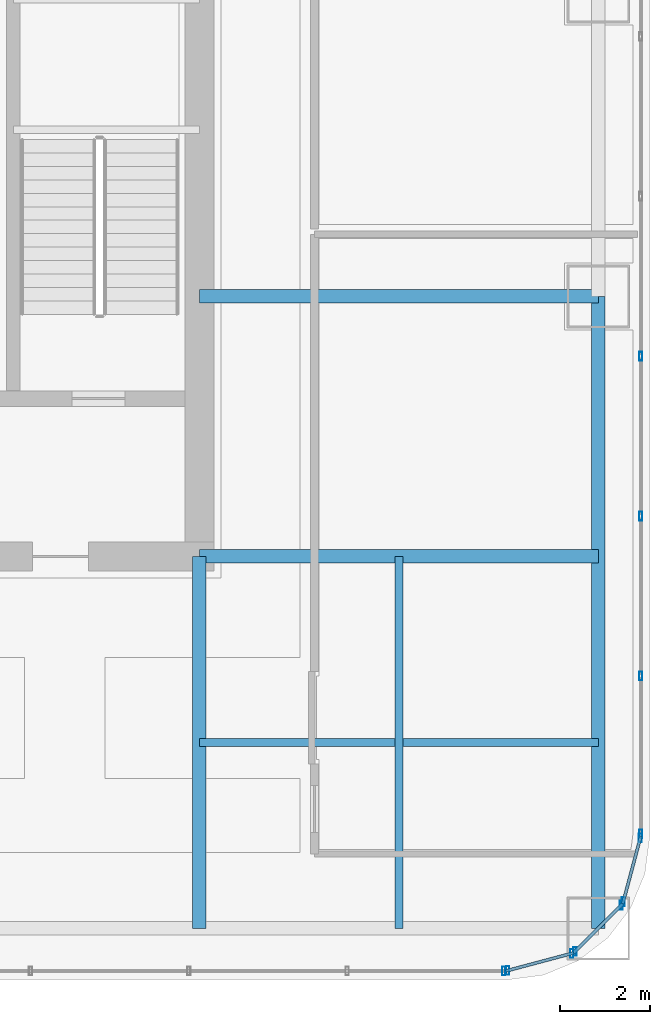
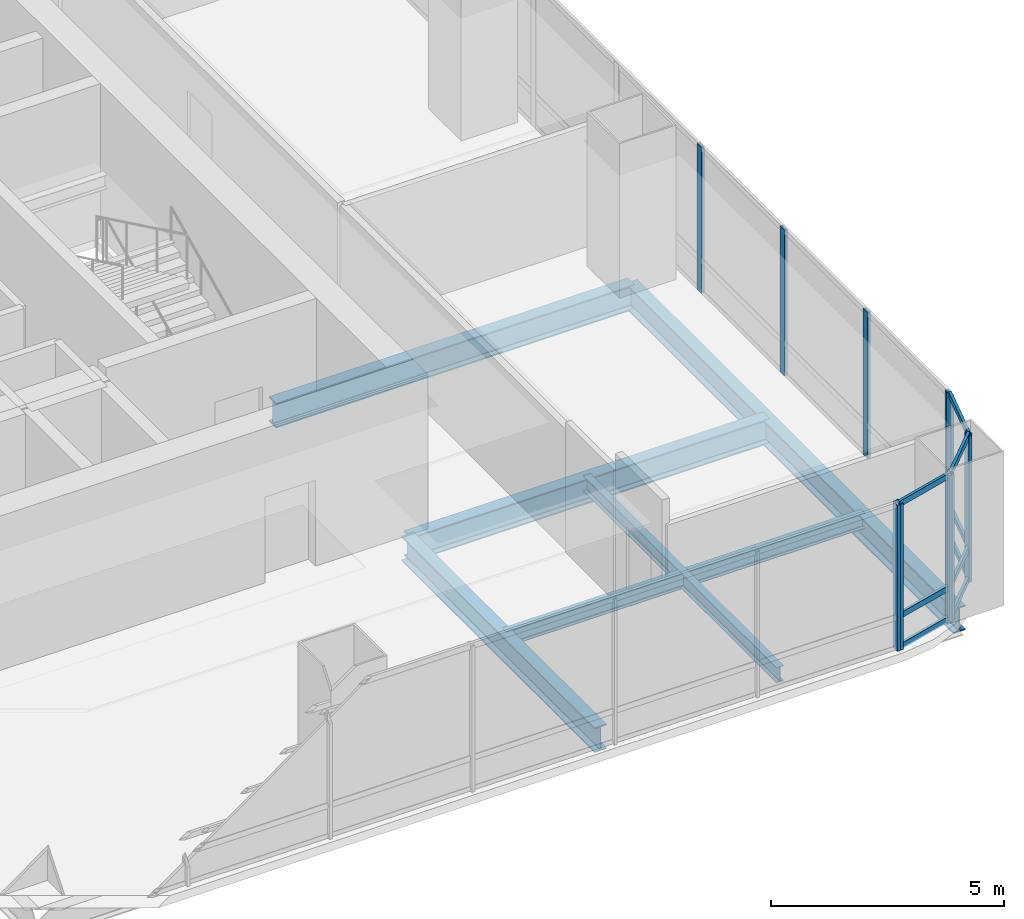
# One storey, part 15 of 38: 20 members, 6 beams, 5 elements without a shape of their own.
"""IFC4 building model written with IfcOpenShell, lengths in metres."""

from ifc_helpers import new_model, si_unit, direction, frame, origin, origin_2d, place, context, subcontext, project, spatial, hollow_rectangle, i_section, extrude, material, material_profile, profile_set, type_object, element, aggregate, save


model = new_model("IFC4")

# Units and contexts
model_context = context("Model", 3, precision=1e-05, world=origin(), true_north=direction((0.0, 1.0)))
body_context = subcontext(model_context, "Body", "Model", "MODEL_VIEW")
ifc_project = project(units=[si_unit("LENGTHUNIT", "METRE"), si_unit("AREAUNIT", "SQUARE_METRE"), si_unit("VOLUMEUNIT", "CUBIC_METRE"), si_unit("PLANEANGLEUNIT", "RADIAN"), si_unit("MASSUNIT", "GRAM", prefix="KILO")], contexts=[model_context])

# Site, building, storey
site_placement = place(None, origin())
site = spatial("IfcSite", under=ifc_project, at=site_placement, CompositionType="ELEMENT")
building_placement = place(site_placement, origin())
building = spatial("IfcBuilding", under=site, at=building_placement, Name="Punatoya Terracotta Tower", CompositionType="ELEMENT")
storey_placement = place(building_placement, frame((0.0, 0.0, 147.89990234375)))
storey = spatial("IfcBuildingStorey", under=building, at=storey_placement, Name="L34", CompositionType="ELEMENT", Elevation=147.89990234375)

# Beams
ifc_material_1 = material(Name="Steel S355", Category="steel")
ifc_material_profile_1 = material_profile(ifc_material_1, i_section(OverallWidth=0.300048828125, OverallDepth=0.64990234375, WebThickness=0.01611328125, FlangeThickness=0.031005859375, FilletRadius=0.01806640625, at=origin_2d()))
ifc_profile_set_1 = profile_set([ifc_material_profile_1], Name="Steel S355")
beam_type_1 = type_object("IfcBeamType", Name="BM-PRI-650", PredefinedType="BEAM", material=ifc_profile_set_1)
beam_1_placement = place(storey_placement, frame((19.10009765625, -17.5, -0.544921875), z_axis=(0.0, 1.0, 0.0), x_axis=(-1.0, 0.0, 0.0)))
element("IfcBeam", 1, at=beam_1_placement, inside=storey, type_object=beam_type_1, Name="BM-L34-RG-E1", PredefinedType="BEAM", context=body_context, shape_type="SweptSolid", body=[
    extrude(i_section(OverallWidth=0.300048828125, OverallDepth=0.64990234375, WebThickness=0.01611328125, FlangeThickness=0.031005859375, FilletRadius=0.01806640625, at=origin_2d()), origin(), (0.0, 0.0, 1.0), 14.10009765625),
])
for number, where, z_axis, x_axis, name in (
    (2, (10.199951171875, -9.199951171875, -0.544921875), (1.0, 0.0, 0.0), (0.0, 1.0, 0.0), "BM-L34-PR-ES"),
    (3, (10.199951171875, -3.39990234375, -0.544921875), (1.0, 0.0, 0.0), (0.0, 1.0, 0.0), "BM-L34-PR-ED"),
):
    element("IfcBeam", number, at=place(storey_placement, frame(where, z_axis=z_axis, x_axis=x_axis)), inside=storey, type_object=beam_type_1, Name=name, PredefinedType="BEAM", context=body_context, shape_type="SweptSolid", body=[
        extrude(i_section(OverallWidth=0.300048828125, OverallDepth=0.64990234375, WebThickness=0.01611328125, FlangeThickness=0.031005859375, FilletRadius=0.01806640625, at=origin_2d()), origin(), (0.0, 0.0, 1.0), 8.900146484375),
    ])
beam_2_placement = place(storey_placement, frame((10.199951171875, -17.5, -0.544921875), z_axis=(0.0, 1.0, 0.0), x_axis=(-1.0, 0.0, 0.0)))
element("IfcBeam", 4, at=beam_2_placement, inside=storey, type_object=beam_type_1, Name="BM-L34-PR-S4", PredefinedType="BEAM", context=body_context, shape_type="SweptSolid", body=[
    extrude(i_section(OverallWidth=0.300048828125, OverallDepth=0.64990234375, WebThickness=0.01611328125, FlangeThickness=0.031005859375, FilletRadius=0.01806640625, at=origin_2d()), origin(), (0.0, 0.0, 1.0), 8.300048828125),
])
ifc_material_profile_2 = material_profile(ifc_material_1, i_section(OverallWidth=0.179931640625, OverallDepth=0.39990234375, WebThickness=0.008544921875, FlangeThickness=0.013427734375, FilletRadius=0.01806640625, at=origin_2d()))
ifc_profile_set_2 = profile_set([ifc_material_profile_2], Name="Steel S355")
beam_type_2 = type_object("IfcBeamType", Name="BM-SEC-400", PredefinedType="JOIST", material=ifc_profile_set_2)
beam_3_placement = place(storey_placement, frame((10.199951171875, -13.35009765625, -0.419921875), z_axis=(1.0, 0.0, 0.0), x_axis=(0.0, 1.0, 0.0)))
element("IfcBeam", 5, at=beam_3_placement, inside=storey, type_object=beam_type_2, Name="BM-L34-SJS-2", PredefinedType="JOIST", context=body_context, shape_type="SweptSolid", body=[
    extrude(i_section(OverallWidth=0.179931640625, OverallDepth=0.39990234375, WebThickness=0.008544921875, FlangeThickness=0.013427734375, FilletRadius=0.01806640625, at=origin_2d()), origin(), (0.0, 0.0, 1.0), 8.900146484375),
])
beam_4_placement = place(storey_placement, frame((14.64990234375, -17.5, -0.419921875), z_axis=(0.0, 1.0, 0.0), x_axis=(-1.0, 0.0, 0.0)))
element("IfcBeam", 6, at=beam_4_placement, inside=storey, type_object=beam_type_2, Name="BM-L34-SJE-1", PredefinedType="JOIST", context=body_context, shape_type="SweptSolid", body=[
    extrude(i_section(OverallWidth=0.179931640625, OverallDepth=0.39990234375, WebThickness=0.008544921875, FlangeThickness=0.013427734375, FilletRadius=0.01806640625, at=origin_2d()), origin(), (0.0, 0.0, 1.0), 8.300048828125),
])

# Curtain wall, member
ifc_material_2 = material(Name="Aluminium 6063-T6 + Double Low-E Glass", Category="aluminium")
curtain_wall_type = type_object("IfcCurtainWallType", Name="CW-M2", PredefinedType="NOTDEFINED", material=ifc_material_2)
curtain_wall_1_placement = place(storey_placement, origin())
curtain_wall_1 = element("IfcCurtainWall", 7, at=curtain_wall_1_placement, inside=storey, type_object=curtain_wall_type, Name="L34 Curtain Wall CW-L34-S01-1", PredefinedType="NOTDEFINED")
ifc_material_3 = material(Name="Aluminium 6063-T6", Category="aluminium")
ifc_material_profile_3 = material_profile(ifc_material_3, hollow_rectangle(XDim=0.072021484375, YDim=0.195068359375, WallThickness=0.00439453125, at=origin_2d()))
ifc_profile_set_3 = profile_set([ifc_material_profile_3], Name="Aluminium 6063-T6")
member_type_1 = type_object("IfcMemberType", Name="CW-MUL-M2", PredefinedType="MULLION", material=ifc_profile_set_3)
member_1_placement = place(storey_placement, frame((16.991943359375, -18.449951171875, 0.0), z_axis=(0.0, 0.0, 1.0), x_axis=(1.0, 0.0, 0.0)))
member_1 = element("IfcMember", 8, at=member_1_placement, type_object=member_type_1, Name="CW-L34-S01-1 Mullion 11", PredefinedType="MULLION", context=body_context, shape_type="SweptSolid", body=[
    extrude(hollow_rectangle(XDim=0.072021484375, YDim=0.195068359375, WallThickness=0.00439453125, at=origin_2d()), origin(), (0.0, 0.0, 1.0), 3.830078125),
])
aggregate(curtain_wall_1, [member_1])

# Curtain wall, members
curtain_wall_2_placement = place(storey_placement, origin())
curtain_wall_2 = element("IfcCurtainWall", 9, at=curtain_wall_2_placement, inside=storey, type_object=curtain_wall_type, Name="L34 Curtain Wall CW-L34-CRN02", PredefinedType="NOTDEFINED")
member_2_placement = place(storey_placement, frame((17.080322265625, -18.4384765625, 0.0), z_axis=(0.0, 0.0, 1.0), x_axis=(1.0, 0.0, 0.0)))
member_2 = element("IfcMember", 10, at=member_2_placement, type_object=member_type_1, Name="CW-L34-CRN02 Mullion 00", PredefinedType="MULLION", context=body_context, shape_type="SweptSolid", body=[
    extrude(hollow_rectangle(XDim=0.072021484375, YDim=0.195068359375, WallThickness=0.00439453125, at=origin_2d()), origin(), (0.0, 0.0, 1.0), 3.830078125),
])
member_3_placement = place(storey_placement, frame((18.505615234375, -18.05810546875, 0.0), z_axis=(0.0, 0.0, 1.0), x_axis=(1.0, 0.0, 0.0)))
member_3 = element("IfcMember", 11, at=member_3_placement, type_object=member_type_1, Name="CW-L34-CRN02 Mullion 01", PredefinedType="MULLION", context=body_context, shape_type="SweptSolid", body=[
    extrude(hollow_rectangle(XDim=0.072021484375, YDim=0.195068359375, WallThickness=0.00439453125, at=origin_2d()), origin(), (0.0, 0.0, 1.0), 3.830078125),
])

curtain_wall_3_placement = place(storey_placement, origin())
curtain_wall_3 = element("IfcCurtainWall", 12, at=curtain_wall_3_placement, inside=storey, type_object=curtain_wall_type, Name="L34 Curtain Wall CW-L34-CRN03", PredefinedType="NOTDEFINED")
member_4_placement = place(storey_placement, frame((18.580810546875, -18.014892578125, 0.0), z_axis=(0.0, 0.0, 1.0), x_axis=(1.0, 0.0, 0.0)))
member_4 = element("IfcMember", 13, at=member_4_placement, type_object=member_type_1, Name="CW-L34-CRN03 Mullion 00", PredefinedType="MULLION", context=body_context, shape_type="SweptSolid", body=[
    extrude(hollow_rectangle(XDim=0.072021484375, YDim=0.195068359375, WallThickness=0.00439453125, at=origin_2d()), origin(), (0.0, 0.0, 1.0), 3.830078125),
])
member_5_placement = place(storey_placement, frame((19.61474609375, -16.98095703125, 0.0), z_axis=(0.0, 0.0, 1.0), x_axis=(1.0, 0.0, 0.0)))
member_5 = element("IfcMember", 14, at=member_5_placement, type_object=member_type_1, Name="CW-L34-CRN03 Mullion 01", PredefinedType="MULLION", context=body_context, shape_type="SweptSolid", body=[
    extrude(hollow_rectangle(XDim=0.072021484375, YDim=0.195068359375, WallThickness=0.00439453125, at=origin_2d()), origin(), (0.0, 0.0, 1.0), 3.830078125),
])

curtain_wall_4_placement = place(storey_placement, origin())
curtain_wall_4 = element("IfcCurtainWall", 15, at=curtain_wall_4_placement, inside=storey, type_object=curtain_wall_type, Name="L34 Curtain Wall CW-L34-CRN04", PredefinedType="NOTDEFINED")
member_6_placement = place(storey_placement, frame((19.658203125, -16.905517578125, 0.0), z_axis=(0.0, 0.0, 1.0), x_axis=(1.0, 0.0, 0.0)))
member_6 = element("IfcMember", 16, at=member_6_placement, type_object=member_type_1, Name="CW-L34-CRN04 Mullion 00", PredefinedType="MULLION", context=body_context, shape_type="SweptSolid", body=[
    extrude(hollow_rectangle(XDim=0.072021484375, YDim=0.195068359375, WallThickness=0.00439453125, at=origin_2d()), origin(), (0.0, 0.0, 1.0), 3.830078125),
])
member_7_placement = place(storey_placement, frame((20.038330078125, -15.48046875, 0.0), z_axis=(0.0, 0.0, 1.0), x_axis=(1.0, 0.0, 0.0)))
member_7 = element("IfcMember", 17, at=member_7_placement, type_object=member_type_1, Name="CW-L34-CRN04 Mullion 01", PredefinedType="MULLION", context=body_context, shape_type="SweptSolid", body=[
    extrude(hollow_rectangle(XDim=0.072021484375, YDim=0.195068359375, WallThickness=0.00439453125, at=origin_2d()), origin(), (0.0, 0.0, 1.0), 3.830078125),
])

curtain_wall_5_placement = place(storey_placement, origin())
curtain_wall_5 = element("IfcCurtainWall", 18, at=curtain_wall_5_placement, inside=storey, type_object=curtain_wall_type, Name="L34 Curtain Wall CW-L34-E05-1", PredefinedType="NOTDEFINED")
member_8_placement = place(storey_placement, frame((20.050048828125, -15.391845703125, 0.0), z_axis=(0.0, 0.0, 1.0), x_axis=(1.0, 0.0, 0.0)))
member_8 = element("IfcMember", 19, at=member_8_placement, type_object=member_type_1, Name="CW-L34-E05-1 Mullion 00", PredefinedType="MULLION", context=body_context, shape_type="SweptSolid", body=[
    extrude(hollow_rectangle(XDim=0.072021484375, YDim=0.195068359375, WallThickness=0.00439453125, at=origin_2d()), origin(), (0.0, 0.0, 1.0), 3.830078125),
])
member_9_placement = place(storey_placement, frame((20.050048828125, -11.869384765625, 0.0), z_axis=(0.0, 0.0, 1.0), x_axis=(1.0, 0.0, 0.0)))
member_9 = element("IfcMember", 20, at=member_9_placement, type_object=member_type_1, Name="CW-L34-E05-1 Mullion 01", PredefinedType="MULLION", context=body_context, shape_type="SweptSolid", body=[
    extrude(hollow_rectangle(XDim=0.072021484375, YDim=0.195068359375, WallThickness=0.00439453125, at=origin_2d()), origin(), (0.0, 0.0, 1.0), 3.830078125),
])
member_10_placement = place(storey_placement, frame((20.050048828125, -8.302001953125, 0.0), z_axis=(0.0, 0.0, 1.0), x_axis=(1.0, 0.0, 0.0)))
member_10 = element("IfcMember", 21, at=member_10_placement, type_object=member_type_1, Name="CW-L34-E05-1 Mullion 02", PredefinedType="MULLION", context=body_context, shape_type="SweptSolid", body=[
    extrude(hollow_rectangle(XDim=0.072021484375, YDim=0.195068359375, WallThickness=0.00439453125, at=origin_2d()), origin(), (0.0, 0.0, 1.0), 3.830078125),
])
member_11_placement = place(storey_placement, frame((20.050048828125, -4.73486328125, 0.0), z_axis=(0.0, 0.0, 1.0), x_axis=(1.0, 0.0, 0.0)))
member_11 = element("IfcMember", 22, at=member_11_placement, type_object=member_type_1, Name="CW-L34-E05-1 Mullion 03", PredefinedType="MULLION", context=body_context, shape_type="SweptSolid", body=[
    extrude(hollow_rectangle(XDim=0.072021484375, YDim=0.195068359375, WallThickness=0.00439453125, at=origin_2d()), origin(), (0.0, 0.0, 1.0), 3.830078125),
])
aggregate(curtain_wall_5, [member_8, member_9, member_10, member_11])

# Member
ifc_material_profile_4 = material_profile(ifc_material_3, hollow_rectangle(XDim=0.068115234375, YDim=0.14990234375, WallThickness=0.00390625, at=origin_2d()))
ifc_profile_set_4 = profile_set([ifc_material_profile_4], Name="Aluminium 6063-T6")
member_type_2 = type_object("IfcMemberType", Name="CW-TRN-TYP", PredefinedType="USERDEFINED", material=ifc_profile_set_4)
member_12_placement = place(storey_placement, frame((17.036865234375, -18.449951171875, 0.0400390625), z_axis=(0.966224582397, 0.257701486942, 0.0), x_axis=(-0.257701486942, 0.966224582397, 0.0)))
member_12 = element("IfcMember", 23, at=member_12_placement, type_object=member_type_2, Name="CW-L34-CRN02 Transom 1", ObjectType="TRANSOM", PredefinedType="USERDEFINED", context=body_context, shape_type="SweptSolid", body=[
    extrude(hollow_rectangle(XDim=0.068115234375, YDim=0.14990234375, WallThickness=0.00390625, at=origin_2d()), origin(), (0.0, 0.0, 1.0), 1.565185546875),
])

member_13_placement = place(storey_placement, frame((17.036865234375, -18.449951171875, 0.85009765625), z_axis=(0.966224582397, 0.257701486942, 0.0), x_axis=(-0.257701486942, 0.966224582397, 0.0)))
member_13 = element("IfcMember", 24, at=member_13_placement, type_object=member_type_2, Name="CW-L34-CRN02 Transom 2", ObjectType="TRANSOM", PredefinedType="USERDEFINED", context=body_context, shape_type="SweptSolid", body=[
    extrude(hollow_rectangle(XDim=0.068115234375, YDim=0.14990234375, WallThickness=0.00390625, at=origin_2d()), origin(), (0.0, 0.0, 1.0), 1.565185546875),
])

member_14_placement = place(storey_placement, frame((17.036865234375, -18.449951171875, 3.7900390625), z_axis=(0.966224582397, 0.257701486942, 0.0), x_axis=(-0.257701486942, 0.966224582397, 0.0)))
member_14 = element("IfcMember", 25, at=member_14_placement, type_object=member_type_2, Name="CW-L34-CRN02 Transom 3", ObjectType="TRANSOM", PredefinedType="USERDEFINED", context=body_context, shape_type="SweptSolid", body=[
    extrude(hollow_rectangle(XDim=0.068115234375, YDim=0.14990234375, WallThickness=0.00390625, at=origin_2d()), origin(), (0.0, 0.0, 1.0), 1.565185546875),
])

aggregate(curtain_wall_2, [member_2, member_3, member_12, member_13, member_14])

member_15_placement = place(storey_placement, frame((18.549072265625, -18.046630859375, 0.0400390625), z_axis=(0.707106781187, 0.707106781187, 0.0), x_axis=(-0.707106781187, 0.707106781187, 0.0)))
member_15 = element("IfcMember", 26, at=member_15_placement, type_object=member_type_2, Name="CW-L34-CRN03 Transom 1", ObjectType="TRANSOM", PredefinedType="USERDEFINED", context=body_context, shape_type="SweptSolid", body=[
    extrude(hollow_rectangle(XDim=0.068115234375, YDim=0.14990234375, WallThickness=0.00390625, at=origin_2d()), origin(), (0.0, 0.0, 1.0), 1.552001953125),
])

member_16_placement = place(storey_placement, frame((18.549072265625, -18.046630859375, 0.85009765625), z_axis=(0.707106781187, 0.707106781187, 0.0), x_axis=(-0.707106781187, 0.707106781187, 0.0)))
member_16 = element("IfcMember", 27, at=member_16_placement, type_object=member_type_2, Name="CW-L34-CRN03 Transom 2", ObjectType="TRANSOM", PredefinedType="USERDEFINED", context=body_context, shape_type="SweptSolid", body=[
    extrude(hollow_rectangle(XDim=0.068115234375, YDim=0.14990234375, WallThickness=0.00390625, at=origin_2d()), origin(), (0.0, 0.0, 1.0), 1.552001953125),
])

member_17_placement = place(storey_placement, frame((18.549072265625, -18.046630859375, 3.7900390625), z_axis=(0.707106781187, 0.707106781187, 0.0), x_axis=(-0.707106781187, 0.707106781187, 0.0)))
member_17 = element("IfcMember", 28, at=member_17_placement, type_object=member_type_2, Name="CW-L34-CRN03 Transom 3", ObjectType="TRANSOM", PredefinedType="USERDEFINED", context=body_context, shape_type="SweptSolid", body=[
    extrude(hollow_rectangle(XDim=0.068115234375, YDim=0.14990234375, WallThickness=0.00390625, at=origin_2d()), origin(), (0.0, 0.0, 1.0), 1.552001953125),
])

aggregate(curtain_wall_3, [member_4, member_5, member_15, member_16, member_17])

member_18_placement = place(storey_placement, frame((19.646484375, -16.94921875, 0.0400390625), z_axis=(0.257847112249, 0.966185730957, 0.0), x_axis=(-0.966185730957, 0.257847112249, 0.0)))
member_18 = element("IfcMember", 29, at=member_18_placement, type_object=member_type_2, Name="CW-L34-CRN04 Transom 1", ObjectType="TRANSOM", PredefinedType="USERDEFINED", context=body_context, shape_type="SweptSolid", body=[
    extrude(hollow_rectangle(XDim=0.068115234375, YDim=0.14990234375, WallThickness=0.00390625, at=origin_2d()), origin(), (0.0, 0.0, 1.0), 1.565185546875),
])

member_19_placement = place(storey_placement, frame((19.646484375, -16.94921875, 0.85009765625), z_axis=(0.257847112249, 0.966185730957, 0.0), x_axis=(-0.966185730957, 0.257847112249, 0.0)))
member_19 = element("IfcMember", 30, at=member_19_placement, type_object=member_type_2, Name="CW-L34-CRN04 Transom 2", ObjectType="TRANSOM", PredefinedType="USERDEFINED", context=body_context, shape_type="SweptSolid", body=[
    extrude(hollow_rectangle(XDim=0.068115234375, YDim=0.14990234375, WallThickness=0.00390625, at=origin_2d()), origin(), (0.0, 0.0, 1.0), 1.565185546875),
])

member_20_placement = place(storey_placement, frame((19.646484375, -16.94921875, 3.7900390625), z_axis=(0.257847112249, 0.966185730957, 0.0), x_axis=(-0.966185730957, 0.257847112249, 0.0)))
member_20 = element("IfcMember", 31, at=member_20_placement, type_object=member_type_2, Name="CW-L34-CRN04 Transom 3", ObjectType="TRANSOM", PredefinedType="USERDEFINED", context=body_context, shape_type="SweptSolid", body=[
    extrude(hollow_rectangle(XDim=0.068115234375, YDim=0.14990234375, WallThickness=0.00390625, at=origin_2d()), origin(), (0.0, 0.0, 1.0), 1.565185546875),
])

aggregate(curtain_wall_4, [member_6, member_7, member_18, member_19, member_20])

save(model, "model.ifc")
